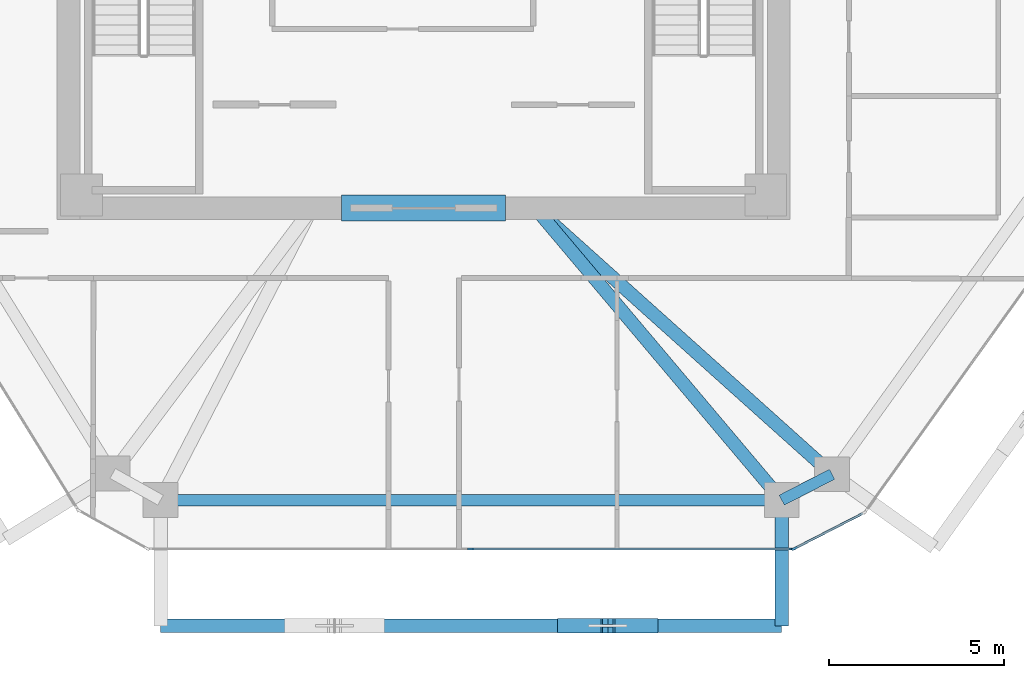
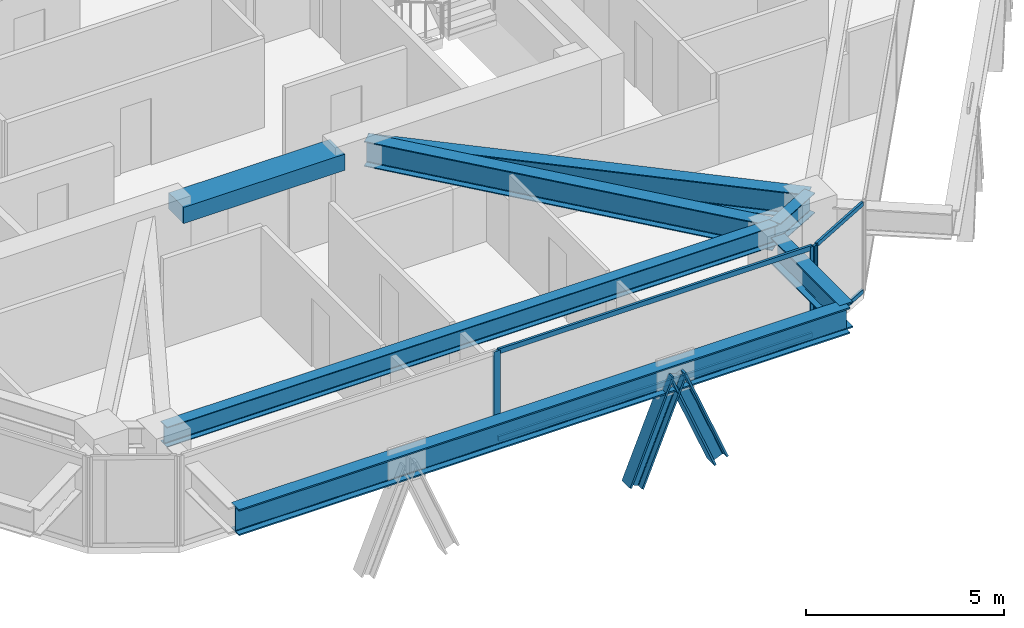
# One storey, part 3 of 14: 9 members, 7 beams, 2 elements without a shape of their own.
"""IFC4 building model written with IfcOpenShell, lengths in metres."""

from ifc_helpers import new_model, si_unit, direction, frame, origin, origin_2d, place, context, subcontext, project, spatial, rectangle, i_section, extrude, source, transform, mapped, material, layer, layer_set, material_profile, profile_set, type_object, type_shapes, element, aggregate, save


model = new_model("IFC4")

# Units and contexts
model_context = context("Model", 3, precision=1e-05, world=origin(), true_north=direction((0.0, 1.0)))
body_context = subcontext(model_context, "Body", "Model", "MODEL_VIEW")
ifc_project = project(units=[si_unit("LENGTHUNIT", "METRE"), si_unit("AREAUNIT", "SQUARE_METRE"), si_unit("VOLUMEUNIT", "CUBIC_METRE"), si_unit("PLANEANGLEUNIT", "RADIAN"), si_unit("MASSUNIT", "GRAM", prefix="KILO")], contexts=[model_context])

# Site, building, storey
site_placement = place(None, origin())
site = spatial("IfcSite", under=ifc_project, at=site_placement, CompositionType="ELEMENT")
building_placement = place(site_placement, origin())
building = spatial("IfcBuilding", under=site, at=building_placement, Name="Durnholm Broadcast Tower", CompositionType="ELEMENT")
storey_placement = place(building_placement, frame((0.0, 0.0, 200.199951171875)))
storey = spatial("IfcBuildingStorey", under=building, at=storey_placement, Name="L55", CompositionType="ELEMENT", Elevation=200.199951171875)

# Beams
ifc_material_1 = material(Name="Steel ASTM A992 Grade 50", Category="steel")
ifc_material_profile_1 = material_profile(ifc_material_1, i_section(OverallWidth=0.385009765625, OverallDepth=0.802978515625, WebThickness=0.023681640625, FlangeThickness=0.0419921875, FilletRadius=0.032958984375, at=origin_2d()), Name="W30X261")
ifc_profile_set_1 = profile_set([ifc_material_profile_1], Name="Steel ASTM A992 Grade 50")
beam_type_1 = type_object("IfcBeamType", Name="BM-EXO-TIE", PredefinedType="USERDEFINED", material=ifc_profile_set_1)
shared_shape_1 = source(origin(), body_context, "Body", "SweptSolid", [
    extrude(i_section(OverallWidth=0.385009765625, OverallDepth=0.802978515625, WebThickness=0.023681640625, FlangeThickness=0.0419921875, FilletRadius=0.032958984375, at=origin_2d()), origin(), (0.0, 0.0, 1.0), 3.4560546875),
])
beam_1_placement = place(storey_placement, frame((10.256591796875, -16.68603515625, 2.008544921875), z_axis=(0.0, -1.0, 0.0), x_axis=(1.0, 0.0, 0.0)))
element("IfcBeam", 1, at=beam_1_placement, inside=storey, type_object=beam_type_1, Name="L55 exoskeleton stand-off tie bracket F1.2", ObjectType="GIRDER", PredefinedType="USERDEFINED", context=body_context, shape_type="MappedRepresentation", body=[
    mapped(shared_shape_1, transform((0.0, 0.0, 0.0), x_axis=(1.0, 0.0, 0.0), y_axis=(0.0, 1.0, 0.0), z_axis=(0.0, 0.0, 1.0), scale=1.0)),
])
ifc_material_2 = material(Name="Concrete C70/85", Category="concrete")
ifc_material_profile_2 = material_profile(ifc_material_2, rectangle(XDim=0.75, YDim=0.5, at=origin_2d()), Name="RC750X500")
ifc_profile_set_2 = profile_set([ifc_material_profile_2], Name="Concrete C70/85")
beam_type_2 = type_object("IfcBeamType", Name="BM-CB-RC500", PredefinedType="LINTEL", material=ifc_profile_set_2)
shared_shape_2 = source(origin(), body_context, "Body", "SweptSolid", [
    extrude(rectangle(XDim=0.75, YDim=0.5, at=origin_2d()), origin(), (0.0, 0.0, 1.0), 4.7001953125),
])
type_shapes(beam_type_2, [shared_shape_2])
beam_2_placement = place(storey_placement, frame((-2.35009765625, -8.175048828125, 2.505126953125), z_axis=(1.0, 0.0, 0.0), x_axis=(0.0, 1.0, 0.0)))
element("IfcBeam", 2, at=beam_2_placement, inside=storey, type_object=beam_type_2, Name="L55 south core coupling lintel beam CB-S", PredefinedType="LINTEL", context=body_context, shape_type="MappedRepresentation", body=[
    mapped(shared_shape_2, transform((0.0, 0.0, 0.0), x_axis=(1.0, 0.0, 0.0), y_axis=(0.0, 1.0, 0.0), z_axis=(0.0, 0.0, 1.0), scale=1.0)),
])
ifc_material_profile_3 = material_profile(ifc_material_1, i_section(OverallWidth=0.3251953125, OverallDepth=0.6162109375, WebThickness=0.013916015625, FlangeThickness=0.021484375, FilletRadius=0.02783203125, at=origin_2d()), Name="W24X117")
ifc_profile_set_3 = profile_set([ifc_material_profile_3], Name="Steel ASTM A992 Grade 50")
beam_type_3 = type_object("IfcBeamType", Name="STL-SP-W24X117", PredefinedType="SPANDREL", material=ifc_profile_set_3)
shared_shape_3 = source(origin(), body_context, "Body", "SweptSolid", [
    extrude(i_section(OverallWidth=0.3251953125, OverallDepth=0.6162109375, WebThickness=0.013916015625, FlangeThickness=0.021484375, FilletRadius=0.02783203125, at=origin_2d()), origin(), (0.0, 0.0, 1.0), 1.62255859375),
])
beam_3_placement = place(storey_placement, frame((11.69970703125, -15.80029296875, 2.43701171875), z_axis=(-0.889406668864, -0.45711680934, 0.0), x_axis=(0.45711680934, -0.889406668864, 0.0)))
element("IfcBeam", 3, at=beam_3_placement, inside=storey, type_object=beam_type_3, Name="L55 perimeter spandrel girder 10", PredefinedType="SPANDREL", context=body_context, shape_type="MappedRepresentation", body=[
    mapped(shared_shape_3, transform((0.0, 0.0, 0.0), x_axis=(1.0, 0.0, 0.0), y_axis=(0.0, 1.0, 0.0), z_axis=(0.0, 0.0, 1.0), scale=1.0)),
])
shared_shape_4 = source(origin(), body_context, "Body", "SweptSolid", [
    extrude(i_section(OverallWidth=0.3251953125, OverallDepth=0.6162109375, WebThickness=0.013916015625, FlangeThickness=0.021484375, FilletRadius=0.02783203125, at=origin_2d()), origin(), (0.0, 0.0, 1.0), 17.796142578125),
])
type_shapes(beam_type_3, [shared_shape_3, shared_shape_4])
beam_4_placement = place(storey_placement, frame((10.256591796875, -16.5419921875, 2.43701171875), z_axis=(-1.0, 0.0, 0.0), x_axis=(0.0, -1.0, 0.0)))
element("IfcBeam", 4, at=beam_4_placement, inside=storey, type_object=beam_type_3, Name="L55 perimeter spandrel girder 11", PredefinedType="SPANDREL", context=body_context, shape_type="MappedRepresentation", body=[
    mapped(shared_shape_4, transform((0.0, 0.0, 0.0), x_axis=(1.0, 0.0, 0.0), y_axis=(0.0, 1.0, 0.0), z_axis=(0.0, 0.0, 1.0), scale=1.0)),
])
shared_shape_5 = source(origin(), body_context, "Body", "SweptSolid", [
    extrude(i_section(OverallWidth=0.385009765625, OverallDepth=0.802978515625, WebThickness=0.023681640625, FlangeThickness=0.0419921875, FilletRadius=0.032958984375, at=origin_2d()), origin(), (0.0, 0.0, 1.0), 17.796142578125),
])
type_shapes(beam_type_1, [shared_shape_1, shared_shape_5])
beam_5_placement = place(storey_placement, frame((-7.53955078125, -20.14208984375, 2.008544921875), z_axis=(1.0, 0.0, 0.0), x_axis=(0.0, 1.0, 0.0)))
element("IfcBeam", 5, at=beam_5_placement, inside=storey, type_object=beam_type_1, Name="L55 exoskeleton collector spandrel F1", PredefinedType="SPANDREL", context=body_context, shape_type="MappedRepresentation", body=[
    mapped(shared_shape_5, transform((0.0, 0.0, 0.0), x_axis=(1.0, 0.0, 0.0), y_axis=(0.0, 1.0, 0.0), z_axis=(0.0, 0.0, 1.0), scale=1.0)),
])
ifc_material_profile_4 = material_profile(ifc_material_1, i_section(OverallWidth=0.380615234375, OverallDepth=0.773193359375, WebThickness=0.0166015625, FlangeThickness=0.027099609375, FilletRadius=0.032958984375, at=origin_2d()), Name="W30X173")
ifc_profile_set_4 = profile_set([ifc_material_profile_4], Name="Steel ASTM A992 Grade 50")
beam_type_4 = type_object("IfcBeamType", Name="STL-GR-W30X173", PredefinedType="USERDEFINED", material=ifc_profile_set_4)
shared_shape_6 = source(origin(), body_context, "Body", "SweptSolid", [
    extrude(i_section(OverallWidth=0.380615234375, OverallDepth=0.773193359375, WebThickness=0.0166015625, FlangeThickness=0.027099609375, FilletRadius=0.032958984375, at=origin_2d()), origin(), (0.0, 0.0, 1.0), 11.4189453125),
])
beam_6_placement = place(storey_placement, frame((3.199951171875, -8.175048828125, 2.3583984375), z_axis=(0.744361631918, -0.667776729849, 0.0), x_axis=(0.667776729849, 0.744361631918, 0.0)))
element("IfcBeam", 6, at=beam_6_placement, inside=storey, type_object=beam_type_4, Name="L55 radial primary floor girder 10", ObjectType="GIRDER", PredefinedType="USERDEFINED", context=body_context, shape_type="MappedRepresentation", body=[
    mapped(shared_shape_6, transform((0.0, 0.0, 0.0), x_axis=(1.0, 0.0, 0.0), y_axis=(0.0, 1.0, 0.0), z_axis=(0.0, 0.0, 1.0), scale=1.0)),
])
shared_shape_7 = source(origin(), body_context, "Body", "SweptSolid", [
    extrude(i_section(OverallWidth=0.380615234375, OverallDepth=0.773193359375, WebThickness=0.0166015625, FlangeThickness=0.027099609375, FilletRadius=0.032958984375, at=origin_2d()), origin(), (0.0, 0.0, 1.0), 10.9453125),
])
type_shapes(beam_type_4, [shared_shape_6, shared_shape_7])
beam_7_placement = place(storey_placement, frame((3.199951171875, -8.175048828125, 2.3583984375), z_axis=(0.644712536066, -0.764425108065, 0.0), x_axis=(0.764425108065, 0.644712536066, 0.0)))
element("IfcBeam", 7, at=beam_7_placement, inside=storey, type_object=beam_type_4, Name="L55 radial primary floor girder 11", ObjectType="GIRDER", PredefinedType="USERDEFINED", context=body_context, shape_type="MappedRepresentation", body=[
    mapped(shared_shape_7, transform((0.0, 0.0, 0.0), x_axis=(1.0, 0.0, 0.0), y_axis=(0.0, 1.0, 0.0), z_axis=(0.0, 0.0, 1.0), scale=1.0)),
])

# Members
ifc_material_3 = material(Name="Steel ASTM A913 Grade 65", Category="steel")
ifc_material_profile_5 = material_profile(ifc_material_3, i_section(OverallWidth=0.412109375, OverallDepth=0.434814453125, WebThickness=0.035888671875, FlangeThickness=0.057373046875, FilletRadius=0.030517578125, at=origin_2d()), Name="W14X311")
ifc_profile_set_5 = profile_set([ifc_material_profile_5], Name="Steel ASTM A913 Grade 65")
member_type_1 = type_object("IfcMemberType", Name="STL-DG-W14X311", PredefinedType="BRACE", material=ifc_profile_set_5)
shared_shape_8 = source(origin(), body_context, "Body", "SweptSolid", [
    extrude(i_section(OverallWidth=0.412109375, OverallDepth=0.434814453125, WebThickness=0.035888671875, FlangeThickness=0.057373046875, FilletRadius=0.030517578125, at=origin_2d()), origin(), (0.0, 0.0, 1.0), 3.243896484375),
])
type_shapes(member_type_1, [shared_shape_8])
for number, where, z_axis, x_axis, name in (
    (8, (4.039794921875, -20.14208984375, -0.991455078125), (0.380378804119, 0.0, 0.924830776616), (0.0, 1.0, 0.0), "L55 stand-off diagrid brace F1.D2.1"),
    (9, (6.507568359375, -20.14208984375, -0.991455078125), (-0.380378804119, 0.0, 0.924830776616), (0.0, -1.0, 0.0), "L55 stand-off diagrid brace F1.D2.2"),
):
    element("IfcMember", number, at=place(storey_placement, frame(where, z_axis=z_axis, x_axis=x_axis)), inside=storey, type_object=member_type_1, Name=name, PredefinedType="BRACE", context=body_context, shape_type="MappedRepresentation", body=[
        mapped(shared_shape_8, transform((0.0, 0.0, 0.0), x_axis=(1.0, 0.0, 0.0), y_axis=(0.0, 1.0, 0.0), z_axis=(0.0, 0.0, 1.0), scale=1.0)),
    ])

# Curtain wall, members
ifc_material_4 = material(Name="Aluminium and Solar Control IGU", Category="aluminium")
ifc_layer_1 = layer(ifc_material_4, 0.1650390625)
ifc_layer_set_1 = layer_set([ifc_layer_1], Name="Aluminium and Solar Control IGU")
curtain_wall_type_1 = type_object("IfcCurtainWallType", Name="CW-SYS-5", PredefinedType="NOTDEFINED", material=ifc_layer_set_1)
curtain_wall_1_placement = place(storey_placement, origin())
curtain_wall_1 = element("IfcCurtainWall", 10, at=curtain_wall_1_placement, inside=storey, type_object=curtain_wall_type_1, Name="L55 curtain wall CW-CORNER CW-L55-CRN-09", PredefinedType="NOTDEFINED")
ifc_material_5 = material(Name="Aluminium 6063-T6", Category="aluminium")
ifc_material_profile_6 = material_profile(ifc_material_5, rectangle(XDim=0.06494140625, YDim=0.1650390625, at=origin_2d()), Name="CWM65X165")
ifc_profile_set_6 = profile_set([ifc_material_profile_6], Name="Aluminium 6063-T6")
member_type_2 = type_object("IfcMemberType", Name="CW-SYS-5-MUL", PredefinedType="MULLION", material=ifc_profile_set_6)
shared_shape_9 = source(origin(), body_context, "Body", "SweptSolid", [
    extrude(rectangle(XDim=0.06494140625, YDim=0.1650390625, at=origin_2d()), origin(), (0.0, 0.0, 1.0), 2.760009765625),
])
type_shapes(member_type_2, [shared_shape_9])
member_1_placement = place(storey_placement, frame((10.624267578125, -17.92724609375, 0.0), z_axis=(0.0, 0.0, 1.0), x_axis=(0.457081764476, -0.889424679545, 0.0)))
member_1 = element("IfcMember", 11, at=member_1_placement, type_object=member_type_2, Name="CW-CORNER mullion 2", PredefinedType="MULLION", context=body_context, shape_type="MappedRepresentation", body=[
    mapped(shared_shape_9, transform((0.0, 0.0, 0.0), x_axis=(1.0, 0.0, 0.0), y_axis=(0.0, 1.0, 0.0), z_axis=(0.0, 0.0, 1.0), scale=1.0)),
])
ifc_material_profile_7 = material_profile(ifc_material_5, rectangle(XDim=0.06494140625, YDim=0.1298828125, at=origin_2d()), Name="CWT65X130")
ifc_profile_set_7 = profile_set([ifc_material_profile_7], Name="Aluminium 6063-T6")
member_type_3 = type_object("IfcMemberType", Name="CW-SYS-5-TRN", PredefinedType="USERDEFINED", material=ifc_profile_set_7)
shared_shape_10 = source(origin(), body_context, "Body", "SweptSolid", [
    extrude(rectangle(XDim=0.06494140625, YDim=0.1298828125, at=origin_2d()), origin(), (0.0, 0.0, 1.0), 2.170166015625),
])
type_shapes(member_type_3, [shared_shape_10])
member_2_placement = place(storey_placement, frame((12.583251953125, -16.92041015625, 0.032470703125), z_axis=(-0.889422414772, -0.457086171417, 0.0), x_axis=(0.457086171417, -0.889422414772, 0.0)))
member_2 = element("IfcMember", 12, at=member_2_placement, type_object=member_type_3, Name="CW-CORNER transom 1.1", ObjectType="TRANSOM", PredefinedType="USERDEFINED", context=body_context, shape_type="MappedRepresentation", body=[
    mapped(shared_shape_10, transform((0.0, 0.0, 0.0), x_axis=(1.0, 0.0, 0.0), y_axis=(0.0, 1.0, 0.0), z_axis=(0.0, 0.0, 1.0), scale=1.0)),
])
member_3_placement = place(storey_placement, frame((12.583251953125, -16.92041015625, 2.7275390625), z_axis=(-0.889422414772, -0.457086171417, 0.0), x_axis=(0.457086171417, -0.889422414772, 0.0)))
member_3 = element("IfcMember", 13, at=member_3_placement, type_object=member_type_3, Name="CW-CORNER transom 1.2", ObjectType="TRANSOM", PredefinedType="USERDEFINED", context=body_context, shape_type="MappedRepresentation", body=[
    mapped(shared_shape_10, transform((0.0, 0.0, 0.0), x_axis=(1.0, 0.0, 0.0), y_axis=(0.0, 1.0, 0.0), z_axis=(0.0, 0.0, 1.0), scale=1.0)),
])
aggregate(curtain_wall_1, [member_1, member_2, member_3])

ifc_layer_2 = layer(ifc_material_4, 0.18994140625)
ifc_layer_set_2 = layer_set([ifc_layer_2], Name="Aluminium and Solar Control IGU")
curtain_wall_type_2 = type_object("IfcCurtainWallType", Name="CW-SYS-4", PredefinedType="NOTDEFINED", material=ifc_layer_set_2)
curtain_wall_2_placement = place(storey_placement, origin())
curtain_wall_2 = element("IfcCurtainWall", 14, at=curtain_wall_2_placement, inside=storey, type_object=curtain_wall_type_2, Name="L55 curtain wall CW-Z34-VIS CW-L55-F10", PredefinedType="NOTDEFINED")
ifc_material_profile_8 = material_profile(ifc_material_5, rectangle(XDim=0.070068359375, YDim=0.14990234375, at=origin_2d()), Name="CWT70X150")
ifc_profile_set_8 = profile_set([ifc_material_profile_8], Name="Aluminium 6063-T6")
member_type_4 = type_object("IfcMemberType", Name="CW-SYS-4-TRN", PredefinedType="USERDEFINED", material=ifc_profile_set_8)
shared_shape_11 = source(origin(), body_context, "Body", "SweptSolid", [
    extrude(rectangle(XDim=0.070068359375, YDim=0.14990234375, at=origin_2d()), origin(), (0.0, 0.0, 1.0), 9.14453125),
])
type_shapes(member_type_4, [shared_shape_11])
member_4_placement = place(storey_placement, frame((10.525390625, -17.94189453125, 0.03515625), z_axis=(-1.0, 0.0, 0.0), x_axis=(0.0, -1.0, 0.0)))
member_4 = element("IfcMember", 15, at=member_4_placement, type_object=member_type_4, Name="CW-Z34-VIS transom 1.1", ObjectType="TRANSOM", PredefinedType="USERDEFINED", context=body_context, shape_type="MappedRepresentation", body=[
    mapped(shared_shape_11, transform((0.0, 0.0, 0.0), x_axis=(1.0, 0.0, 0.0), y_axis=(0.0, 1.0, 0.0), z_axis=(0.0, 0.0, 1.0), scale=1.0)),
])
member_5_placement = place(storey_placement, frame((10.525390625, -17.94189453125, 2.72509765625), z_axis=(-1.0, 0.0, 0.0), x_axis=(0.0, -1.0, 0.0)))
member_5 = element("IfcMember", 16, at=member_5_placement, type_object=member_type_4, Name="CW-Z34-VIS transom 1.2", ObjectType="TRANSOM", PredefinedType="USERDEFINED", context=body_context, shape_type="MappedRepresentation", body=[
    mapped(shared_shape_11, transform((0.0, 0.0, 0.0), x_axis=(1.0, 0.0, 0.0), y_axis=(0.0, 1.0, 0.0), z_axis=(0.0, 0.0, 1.0), scale=1.0)),
])
ifc_material_profile_9 = material_profile(ifc_material_5, rectangle(XDim=0.070068359375, YDim=0.18994140625, at=origin_2d()), Name="CWM70X190")
ifc_profile_set_9 = profile_set([ifc_material_profile_9], Name="Aluminium 6063-T6")
member_type_5 = type_object("IfcMemberType", Name="CW-SYS-4-MUL", PredefinedType="MULLION", material=ifc_profile_set_9)
shared_shape_12 = source(origin(), body_context, "Body", "SweptSolid", [
    extrude(rectangle(XDim=0.070068359375, YDim=0.18994140625, at=origin_2d()), origin(), (0.0, 0.0, 1.0), 2.760009765625),
])
type_shapes(member_type_5, [shared_shape_12])
member_6_placement = place(storey_placement, frame((10.560302734375, -17.94189453125, 0.0), z_axis=(0.0, 0.0, 1.0), x_axis=(0.0, -1.0, 0.0)))
member_6 = element("IfcMember", 17, at=member_6_placement, type_object=member_type_5, Name="CW-Z34-VIS mullion 1", PredefinedType="MULLION", context=body_context, shape_type="MappedRepresentation", body=[
    mapped(shared_shape_12, transform((0.0, 0.0, 0.0), x_axis=(1.0, 0.0, 0.0), y_axis=(0.0, 1.0, 0.0), z_axis=(0.0, 0.0, 1.0), scale=1.0)),
])
member_7_placement = place(storey_placement, frame((1.345947265625, -17.94189453125, 0.0), z_axis=(0.0, 0.0, 1.0), x_axis=(0.0, -1.0, 0.0)))
member_7 = element("IfcMember", 18, at=member_7_placement, type_object=member_type_5, Name="CW-Z34-VIS mullion 2", PredefinedType="MULLION", context=body_context, shape_type="MappedRepresentation", body=[
    mapped(shared_shape_12, transform((0.0, 0.0, 0.0), x_axis=(1.0, 0.0, 0.0), y_axis=(0.0, 1.0, 0.0), z_axis=(0.0, 0.0, 1.0), scale=1.0)),
])
aggregate(curtain_wall_2, [member_6, member_7, member_4, member_5])

save(model, "model.ifc")
